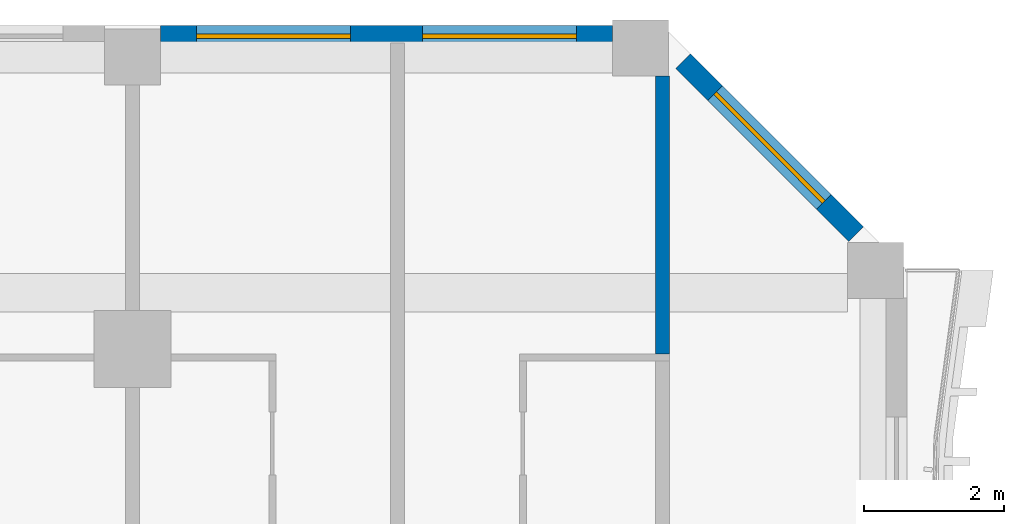
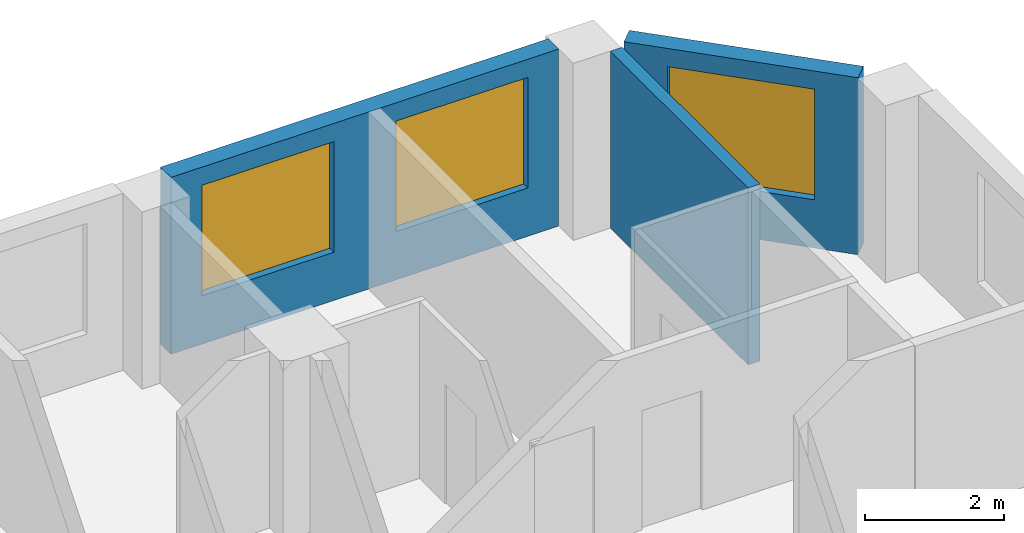
# One storey, part 11 of 23: 3 walls, 3 windows, 3 openings.
"""IFC4 building model written with IfcOpenShell, lengths in metres."""

from ifc_helpers import new_model, si_unit, direction, frame, frame_2d, origin, place, context, subcontext, project, spatial, rectangle, extrude, source, transform, mapped, material, layer, layer_set, type_object, element, fill, save


model = new_model("IFC4")

# Units and contexts
model_context = context("Model", 3, precision=1e-05, world=origin(), true_north=direction((0.0, 1.0)))
body_context = subcontext(model_context, "Body", "Model", "MODEL_VIEW")
ifc_project = project(units=[si_unit("LENGTHUNIT", "METRE"), si_unit("AREAUNIT", "SQUARE_METRE"), si_unit("VOLUMEUNIT", "CUBIC_METRE"), si_unit("PLANEANGLEUNIT", "RADIAN"), si_unit("MASSUNIT", "GRAM", prefix="KILO")], contexts=[model_context])

# Site, building, storey
site_placement = place(None, origin())
site = spatial("IfcSite", under=ifc_project, at=site_placement, CompositionType="ELEMENT")
building_placement = place(site_placement, origin())
building = spatial("IfcBuilding", under=site, at=building_placement, Name="Kilnfold Tower and Market Hall", CompositionType="ELEMENT")
storey_placement = place(building_placement, frame((0.0, 0.0, 150.699951171875)))
storey = spatial("IfcBuildingStorey", under=building, at=storey_placement, Name="L34", CompositionType="ELEMENT", Elevation=150.699951171875)

# Wall
ifc_material_1 = material(Name="Gypsum board on steel studs", Category="steel")
ifc_layer_1 = layer(ifc_material_1, 0.199951171875)
ifc_layer_set_1 = layer_set([ifc_layer_1], Name="Gypsum board on steel studs")
wall_type_1 = type_object("IfcWallType", Name="WALL PARTY 200", PredefinedType="PARTITIONING", material=ifc_layer_set_1)
wall_1_placement = place(storey_placement, frame((21.75, 26.552001953125, 0.0), z_axis=(0.0, 0.0, 1.0), x_axis=(0.0, 1.0, 0.0)))
element("IfcWall", 1, at=wall_1_placement, inside=storey, type_object=wall_type_1, Name="Partition LY22.123", PredefinedType="PARTITIONING", context=body_context, shape_type="SweptSolid", body=[
    extrude(rectangle(XDim=3.97998046875, YDim=0.199951171875, at=frame_2d((1.989990234375, 0.0))), origin(), (0.0, 0.0, 1.0), 3.1201171875),
])

# Wall, opening, window
ifc_material_2 = material(Name="Precast concrete C50/60", Category="concrete")
ifc_layer_2 = layer(ifc_material_2, 0.300048828125)
ifc_layer_set_2 = layer_set([ifc_layer_2], Name="Precast concrete C50/60")
wall_type_2 = type_object("IfcWallType", Name="PRECAST WALL 300", PredefinedType="SOLIDWALL", material=ifc_layer_set_2)
shared_shape_1 = source(origin(), body_context, "Body", "SweptSolid", [
    extrude(rectangle(XDim=3.500244140625, YDim=0.300048828125, at=frame_2d((1.75, 0.0))), origin(), (0.0, 0.0, 1.0), 3.1201171875),
])
wall_2_placement = place(storey_placement, frame((24.518798828125, 28.268798828125, 0.0), z_axis=(0.0, 0.0, 1.0), x_axis=(-0.70707190453, 0.707141656123, 0.0)))
wall_2 = element("IfcWall", 2, at=wall_2_placement, inside=storey, type_object=wall_type_2, Name="External wall L34 NE", PredefinedType="SOLIDWALL", context=body_context, shape_type="MappedRepresentation", body=[
    mapped(shared_shape_1, transform((0.0, 0.0, 0.0))),
])
opening_1_placement = place(wall_2_placement, frame((0.650146484375, 0.0, 0.85009765625)))
opening_1 = element("IfcOpeningElement", 3, at=opening_1_placement, cuts=wall_2, Name="Opening W2", PredefinedType="OPENING", context=body_context, shape_type="SweptSolid", body=[
    extrude(rectangle(XDim=2.199951171875, YDim=1.949951171875, at=frame_2d((1.10009765625, 0.97509765625))), frame((0.0, 0.16015625, 0.0), z_axis=(0.0, -1.0, 0.0), x_axis=(1.0, 0.0, 0.0)), (0.0, 0.0, 1.0), 0.320068359375),
])
ifc_material_3 = material(Name="Aluminium frame and double glazing", Category="aluminium")
window_type = type_object("IfcWindowType", Name="WINDOW W2 2200X1950", PartitioningType="SINGLE_PANEL", PredefinedType="WINDOW", material=ifc_material_3)
window_1_placement = place(opening_1_placement, origin())
window_1 = element("IfcWindow", 4, at=window_1_placement, inside=storey, type_object=window_type, Name="Window W2 L34 NE-1", OverallHeight=1.949951171875, OverallWidth=2.199951171875, PartitioningType="SINGLE_PANEL", PredefinedType="WINDOW", context=body_context, shape_type="SweptSolid", body=[
    extrude(rectangle(XDim=2.199951171875, YDim=1.949951171875, at=frame_2d((1.10009765625, 0.97509765625))), frame((0.0, 0.030029296875, 0.0), z_axis=(0.0, -1.0, 0.0), x_axis=(1.0, 0.0, 0.0)), (0.0, 0.0, 1.0), 0.06005859375),
])
fill(opening_1, window_1)

# Wall, openings, windows
shared_shape_2 = source(origin(), body_context, "Body", "SweptSolid", [
    extrude(rectangle(XDim=6.465087890625, YDim=0.300048828125, at=frame_2d((3.232421875, 0.0))), origin(), (0.0, 0.0, 1.0), 3.1201171875),
])
wall_3_placement = place(storey_placement, frame((21.03173828125, 31.10009765625, 0.0), z_axis=(0.0, 0.0, 1.0), x_axis=(-1.0, 0.0, 0.0)))
wall_3 = element("IfcWall", 5, at=wall_3_placement, inside=storey, type_object=wall_type_2, Name="External wall L34 N", PredefinedType="SOLIDWALL", context=body_context, shape_type="MappedRepresentation", body=[
    mapped(shared_shape_2, transform((0.0, 0.0, 0.0))),
])
opening_2_placement = place(wall_3_placement, frame((0.51611328125, 0.0, 0.85009765625)))
opening_2 = element("IfcOpeningElement", 6, at=opening_2_placement, cuts=wall_3, Name="Opening W2", PredefinedType="OPENING", context=body_context, shape_type="SweptSolid", body=[
    extrude(rectangle(XDim=2.199951171875, YDim=1.949951171875, at=frame_2d((1.10009765625, 0.97509765625))), frame((0.0, 0.16015625, 0.0), z_axis=(0.0, -1.0, 0.0), x_axis=(1.0, 0.0, 0.0)), (0.0, 0.0, 1.0), 0.320068359375),
])
opening_3_placement = place(wall_3_placement, frame((3.748779296875, 0.0, 0.85009765625)))
opening_3 = element("IfcOpeningElement", 7, at=opening_3_placement, cuts=wall_3, Name="Opening W2", PredefinedType="OPENING", context=body_context, shape_type="SweptSolid", body=[
    extrude(rectangle(XDim=2.199951171875, YDim=1.949951171875, at=frame_2d((1.10009765625, 0.97509765625))), frame((0.0, 0.16015625, 0.0), z_axis=(0.0, -1.0, 0.0), x_axis=(1.0, 0.0, 0.0)), (0.0, 0.0, 1.0), 0.320068359375),
])
window_2_placement = place(opening_2_placement, origin())
window_2 = element("IfcWindow", 8, at=window_2_placement, inside=storey, type_object=window_type, Name="Window W2 L34 N-1", OverallHeight=1.949951171875, OverallWidth=2.199951171875, PartitioningType="SINGLE_PANEL", PredefinedType="WINDOW", context=body_context, shape_type="SweptSolid", body=[
    extrude(rectangle(XDim=2.199951171875, YDim=1.949951171875, at=frame_2d((1.10009765625, 0.97509765625))), frame((0.0, 0.030029296875, 0.0), z_axis=(0.0, -1.0, 0.0), x_axis=(1.0, 0.0, 0.0)), (0.0, 0.0, 1.0), 0.06005859375),
])
fill(opening_2, window_2)
window_3_placement = place(opening_3_placement, origin())
window_3 = element("IfcWindow", 9, at=window_3_placement, inside=storey, type_object=window_type, Name="Window W2 L34 N-2", OverallHeight=1.949951171875, OverallWidth=2.199951171875, PartitioningType="SINGLE_PANEL", PredefinedType="WINDOW", context=body_context, shape_type="SweptSolid", body=[
    extrude(rectangle(XDim=2.199951171875, YDim=1.949951171875, at=frame_2d((1.10009765625, 0.97509765625))), frame((0.0, 0.030029296875, 0.0), z_axis=(0.0, -1.0, 0.0), x_axis=(1.0, 0.0, 0.0)), (0.0, 0.0, 1.0), 0.06005859375),
])
fill(opening_3, window_3)

save(model, "model.ifc")
